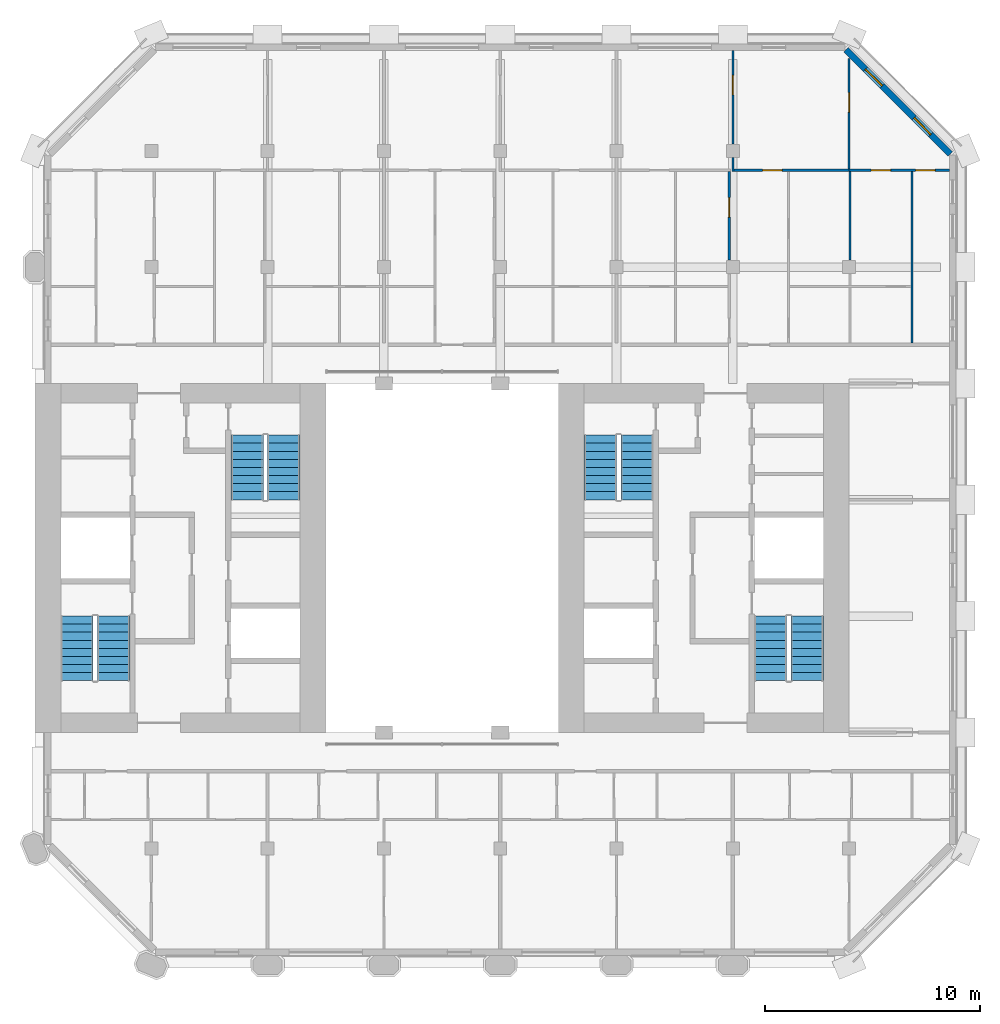
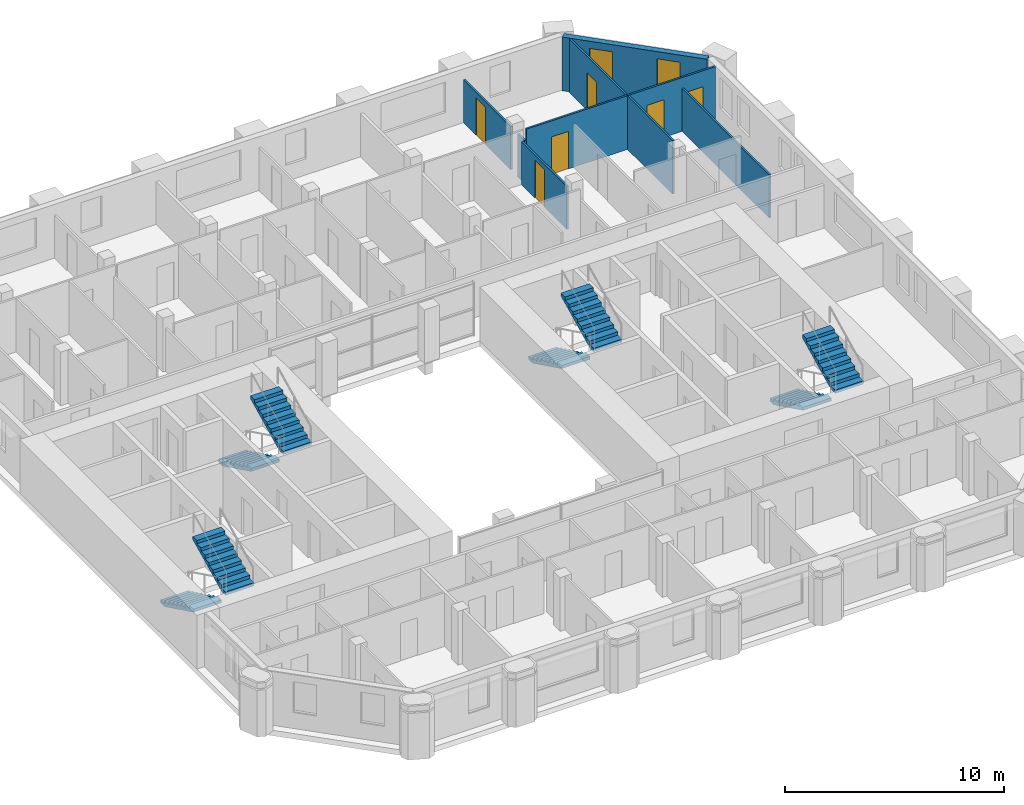
# One storey, part 10 of 13: 9 walls, 8 stair flights, 6 doors, 2 windows, 8 openings, 4 elements without a shape of their own.
"""IFC4 building model written with IfcOpenShell, lengths in metres."""

from ifc_helpers import new_model, si_unit, direction, frame, frame_2d, origin, place, context, subcontext, project, spatial, polyline, rectangle, outline, extrude, material, layer, layer_set, type_object, element, fill, aggregate, save


model = new_model("IFC4")

# Units and contexts
model_context = context("Model", 3, precision=1e-05, world=origin(), true_north=direction((0.0, 1.0)))
body_context = subcontext(model_context, "Body", "Model", "MODEL_VIEW")
ifc_project = project(units=[si_unit("LENGTHUNIT", "METRE"), si_unit("AREAUNIT", "SQUARE_METRE"), si_unit("VOLUMEUNIT", "CUBIC_METRE"), si_unit("PLANEANGLEUNIT", "RADIAN"), si_unit("MASSUNIT", "GRAM", prefix="KILO")], contexts=[model_context])

# Site, building, storey
site_placement = place(None, origin())
site = spatial("IfcSite", under=ifc_project, at=site_placement, CompositionType="ELEMENT")
building_placement = place(site_placement, origin())
building = spatial("IfcBuilding", under=site, at=building_placement, Name="Tabaq Tower and Sports Hall", CompositionType="ELEMENT")
storey_placement = place(building_placement, frame((0.0, 0.0, 298.300048828125)))
storey = spatial("IfcBuildingStorey", under=building, at=storey_placement, Name="L74", CompositionType="ELEMENT", Elevation=298.300048828125)

# Wall
ifc_material_1 = material(Name="Gypsum board on steel studs", Category="steel")
ifc_layer_1 = layer(ifc_material_1, 0.10009765625)
ifc_layer_set_1 = layer_set([ifc_layer_1], Name="Partition 100 Gypsum board")
wall_type_1 = type_object("IfcWallType", Name="Partition 100 Gypsum board", PredefinedType="PARTITIONING", material=ifc_layer_set_1)
wall_1_placement = place(storey_placement, frame((37.800048828125, 42.25, 0.0), z_axis=(0.0, 0.0, 1.0), x_axis=(0.0, 1.0, 0.0)))
element("IfcWall", 1, at=wall_1_placement, inside=storey, type_object=wall_type_1, Name="Partition wall L74", PredefinedType="PARTITIONING", context=body_context, shape_type="SweptSolid", body=[
    extrude(rectangle(XDim=0.6298828125, YDim=0.10009765625, at=frame_2d((0.31494140625, 0.0))), origin(), (0.0, 0.0, 1.0), 2.39990234375),
])

# Wall, opening, door
wall_2_placement = place(storey_placement, frame((37.800048828125, 43.52001953125, 0.0), z_axis=(0.0, 0.0, 1.0), x_axis=(0.0, 1.0, 0.0)))
wall_2 = element("IfcWall", 2, at=wall_2_placement, inside=storey, type_object=wall_type_1, Name="Partition wall L74", PredefinedType="PARTITIONING", context=body_context, shape_type="SweptSolid", body=[
    extrude(rectangle(XDim=4.3291015625, YDim=0.10009765625, at=frame_2d((2.16455078125, 0.0))), origin(), (0.0, 0.0, 1.0), 2.39990234375),
])
opening_1_placement = place(wall_2_placement, frame((2.280029296875, 0.0, 0.0)))
opening_1 = element("IfcOpeningElement", 3, at=opening_1_placement, cuts=wall_2, Name="Opening L74-036", PredefinedType="OPENING", context=body_context, shape_type="SweptSolid", body=[
    extrude(rectangle(XDim=0.89990234375, YDim=2.10009765625, at=frame_2d((0.449951171875, 1.050048828125))), frame((0.0, 0.050048828125, 0.0), z_axis=(0.0, -1.0, 0.0), x_axis=(1.0, 0.0, 0.0)), (0.0, 0.0, 1.0), 0.10009765625),
])
ifc_material_2 = material(Name="Timber leaf in steel frame", Category="steel")
door_type_1 = type_object("IfcDoorType", Name="Internal door 900 left hand", OperationType="SINGLE_SWING_LEFT", PredefinedType="DOOR", material=ifc_material_2)
door_1_placement = place(opening_1_placement, origin())
door_1 = element("IfcDoor", 4, at=door_1_placement, inside=storey, type_object=door_type_1, Name="Internal door L74-036", OperationType="SINGLE_SWING_LEFT", OverallHeight=2.10009765625, OverallWidth=0.89990234375, PredefinedType="DOOR", context=body_context, shape_type="SweptSolid", body=[
    extrude(rectangle(XDim=0.89990234375, YDim=2.10009765625, at=frame_2d((0.449951171875, 1.050048828125))), frame((0.0, 0.02490234375, 0.0), z_axis=(0.0, -1.0, 0.0), x_axis=(1.0, 0.0, 0.0)), (0.0, 0.0, 1.0), 0.050048828125),
])
fill(opening_1, door_1)

wall_3_placement = place(storey_placement, frame((37.85009765625, 42.300048828125, 0.0), z_axis=(0.0, 0.0, 1.0), x_axis=(1.0, 0.0, 0.0)))
wall_3 = element("IfcWall", 5, at=wall_3_placement, inside=storey, type_object=wall_type_1, Name="Partition wall L74", PredefinedType="PARTITIONING", context=body_context, shape_type="SweptSolid", body=[
    extrude(rectangle(XDim=5.39990234375, YDim=0.10009765625, at=frame_2d((2.699951171875, 0.0))), origin(), (0.0, 0.0, 1.0), 3.0),
])
opening_2_placement = place(wall_3_placement, frame((1.3349609375, 0.0, 0.0)))
opening_2 = element("IfcOpeningElement", 6, at=opening_2_placement, cuts=wall_3, Name="Opening L74-054", PredefinedType="OPENING", context=body_context, shape_type="SweptSolid", body=[
    extrude(rectangle(XDim=0.89990234375, YDim=2.10009765625, at=frame_2d((0.449951171875, 1.050048828125))), frame((0.0, 0.050048828125, 0.0), z_axis=(0.0, -1.0, 0.0), x_axis=(1.0, 0.0, 0.0)), (0.0, 0.0, 1.0), 0.10009765625),
])
ifc_material_3 = material(Name="Timber leaf in steel frame", Category="steel")
door_type_2 = type_object("IfcDoorType", Name="Internal door 900 right hand", OperationType="SINGLE_SWING_RIGHT", PredefinedType="DOOR", material=ifc_material_3)
door_2_placement = place(opening_2_placement, origin())
door_2 = element("IfcDoor", 7, at=door_2_placement, inside=storey, type_object=door_type_2, Name="Internal door L74-054", OperationType="SINGLE_SWING_RIGHT", OverallHeight=2.10009765625, OverallWidth=0.89990234375, PredefinedType="DOOR", context=body_context, shape_type="SweptSolid", body=[
    extrude(rectangle(XDim=0.89990234375, YDim=2.10009765625, at=frame_2d((0.449951171875, 1.050048828125))), frame((0.0, 0.02490234375, 0.0), z_axis=(0.0, -1.0, 0.0), x_axis=(1.0, 0.0, 0.0)), (0.0, 0.0, 1.0), 0.050048828125),
])
fill(opening_2, door_2)

wall_4_placement = place(storey_placement, frame((43.199951171875, 42.35009765625, 0.0), z_axis=(0.0, 0.0, 1.0), x_axis=(0.0, 1.0, 0.0)))
wall_4 = element("IfcWall", 8, at=wall_4_placement, inside=storey, type_object=wall_type_1, Name="Partition wall L74", PredefinedType="PARTITIONING", context=body_context, shape_type="SweptSolid", body=[
    extrude(rectangle(XDim=5.1376953125, YDim=0.10009765625, at=frame_2d((2.56884765625, 0.0))), origin(), (0.0, 0.0, 1.0), 3.0),
])
opening_3_placement = place(wall_4_placement, frame((2.64990234375, 0.0, 0.0)))
opening_3 = element("IfcOpeningElement", 9, at=opening_3_placement, cuts=wall_4, Name="Opening L74-053", PredefinedType="OPENING", context=body_context, shape_type="SweptSolid", body=[
    extrude(rectangle(XDim=0.89990234375, YDim=2.10009765625, at=frame_2d((0.449951171875, 1.050048828125))), frame((0.0, 0.050048828125, 0.0), z_axis=(0.0, -1.0, 0.0), x_axis=(1.0, 0.0, 0.0)), (0.0, 0.0, 1.0), 0.10009765625),
])
door_3_placement = place(opening_3_placement, origin())
door_3 = element("IfcDoor", 10, at=door_3_placement, inside=storey, type_object=door_type_2, Name="Internal door L74-053", OperationType="SINGLE_SWING_RIGHT", OverallHeight=2.10009765625, OverallWidth=0.89990234375, PredefinedType="DOOR", context=body_context, shape_type="SweptSolid", body=[
    extrude(rectangle(XDim=0.89990234375, YDim=2.10009765625, at=frame_2d((0.449951171875, 1.050048828125))), frame((0.0, 0.02490234375, 0.0), z_axis=(0.0, -1.0, 0.0), x_axis=(1.0, 0.0, 0.0)), (0.0, 0.0, 1.0), 0.050048828125),
])
fill(opening_3, door_3)

# Wall, openings, doors
wall_5_placement = place(storey_placement, frame((43.18505859375, 42.300048828125, 0.0), z_axis=(0.0, 0.0, 1.0), x_axis=(1.0, 0.0, 0.0)))
wall_5 = element("IfcWall", 11, at=wall_5_placement, inside=storey, type_object=wall_type_1, Name="Partition wall L74", PredefinedType="PARTITIONING", context=body_context, shape_type="SweptSolid", body=[
    extrude(rectangle(XDim=4.6640625, YDim=0.10009765625, at=frame_2d((2.33203125, 0.0))), origin(), (0.0, 0.0, 1.0), 3.0),
])
opening_4_placement = place(wall_5_placement, frame((3.10009765625, 0.0, 0.0)))
opening_4 = element("IfcOpeningElement", 12, at=opening_4_placement, cuts=wall_5, Name="Opening L74-011", PredefinedType="OPENING", context=body_context, shape_type="SweptSolid", body=[
    extrude(rectangle(XDim=0.89990234375, YDim=2.10009765625, at=frame_2d((0.449951171875, 1.050048828125))), frame((0.0, 0.050048828125, 0.0), z_axis=(0.0, -1.0, 0.0), x_axis=(1.0, 0.0, 0.0)), (0.0, 0.0, 1.0), 0.10009765625),
])
opening_5_placement = place(wall_5_placement, frame((1.0400390625, 0.0, 0.0)))
opening_5 = element("IfcOpeningElement", 13, at=opening_5_placement, cuts=wall_5, Name="Opening L74-038", PredefinedType="OPENING", context=body_context, shape_type="SweptSolid", body=[
    extrude(rectangle(XDim=0.89990234375, YDim=2.10009765625, at=frame_2d((0.449951171875, 1.050048828125))), frame((0.0, 0.050048828125, 0.0), z_axis=(0.0, -1.0, 0.0), x_axis=(1.0, 0.0, 0.0)), (0.0, 0.0, 1.0), 0.10009765625),
])
door_4_placement = place(opening_5_placement, origin())
door_4 = element("IfcDoor", 14, at=door_4_placement, inside=storey, type_object=door_type_1, Name="Internal door L74-038", OperationType="SINGLE_SWING_LEFT", OverallHeight=2.10009765625, OverallWidth=0.89990234375, PredefinedType="DOOR", context=body_context, shape_type="SweptSolid", body=[
    extrude(rectangle(XDim=0.89990234375, YDim=2.10009765625, at=frame_2d((0.449951171875, 1.050048828125))), frame((0.0, 0.02490234375, 0.0), z_axis=(0.0, -1.0, 0.0), x_axis=(1.0, 0.0, 0.0)), (0.0, 0.0, 1.0), 0.050048828125),
])
fill(opening_5, door_4)
door_5_placement = place(opening_4_placement, origin())
door_5 = element("IfcDoor", 15, at=door_5_placement, inside=storey, type_object=door_type_2, Name="Internal door L74-011", OperationType="SINGLE_SWING_RIGHT", OverallHeight=2.10009765625, OverallWidth=0.89990234375, PredefinedType="DOOR", context=body_context, shape_type="SweptSolid", body=[
    extrude(rectangle(XDim=0.89990234375, YDim=2.10009765625, at=frame_2d((0.449951171875, 1.050048828125))), frame((0.0, 0.02490234375, 0.0), z_axis=(0.0, -1.0, 0.0), x_axis=(1.0, 0.0, 0.0)), (0.0, 0.0, 1.0), 0.050048828125),
])
fill(opening_4, door_5)

# Wall, opening, door
wall_6_placement = place(storey_placement, frame((37.635009765625, 38.1201171875, 0.0), z_axis=(0.0, 0.0, 1.0), x_axis=(0.0, 1.0, 0.0)))
wall_6 = element("IfcWall", 16, at=wall_6_placement, inside=storey, type_object=wall_type_1, Name="Partition wall L74", PredefinedType="PARTITIONING", context=body_context, shape_type="SweptSolid", body=[
    extrude(rectangle(XDim=4.1298828125, YDim=0.10009765625, at=frame_2d((2.06494140625, 0.0))), origin(), (0.0, 0.0, 1.0), 2.39990234375),
])
opening_6_placement = place(wall_6_placement, frame((2.0048828125, 0.0, 0.0)))
opening_6 = element("IfcOpeningElement", 17, at=opening_6_placement, cuts=wall_6, Name="Opening L74-013", PredefinedType="OPENING", context=body_context, shape_type="SweptSolid", body=[
    extrude(rectangle(XDim=0.89990234375, YDim=2.10009765625, at=frame_2d((0.449951171875, 1.050048828125))), frame((0.0, 0.050048828125, 0.0), z_axis=(0.0, -1.0, 0.0), x_axis=(1.0, 0.0, 0.0)), (0.0, 0.0, 1.0), 0.10009765625),
])
door_6_placement = place(opening_6_placement, origin())
door_6 = element("IfcDoor", 18, at=door_6_placement, inside=storey, type_object=door_type_2, Name="Internal door L74-013", OperationType="SINGLE_SWING_RIGHT", OverallHeight=2.10009765625, OverallWidth=0.89990234375, PredefinedType="DOOR", context=body_context, shape_type="SweptSolid", body=[
    extrude(rectangle(XDim=0.89990234375, YDim=2.10009765625, at=frame_2d((0.449951171875, 1.050048828125))), frame((0.0, 0.02490234375, 0.0), z_axis=(0.0, -1.0, 0.0), x_axis=(1.0, 0.0, 0.0)), (0.0, 0.0, 1.0), 0.050048828125),
])
fill(opening_6, door_6)

# Walls
wall_7_placement = place(storey_placement, frame((43.235107421875, 38.1201171875, 0.0), z_axis=(0.0, 0.0, 1.0), x_axis=(0.0, 1.0, 0.0)))
element("IfcWall", 19, at=wall_7_placement, inside=storey, type_object=wall_type_1, Name="Partition wall L74", PredefinedType="PARTITIONING", context=body_context, shape_type="SweptSolid", body=[
    extrude(rectangle(XDim=4.1298828125, YDim=0.10009765625, at=frame_2d((2.06494140625, 0.0))), origin(), (0.0, 0.0, 1.0), 3.0),
])
wall_8_placement = place(storey_placement, frame((46.114990234375, 34.27490234375, 0.0), z_axis=(0.0, 0.0, 1.0), x_axis=(0.0, 1.0, 0.0)))
element("IfcWall", 20, at=wall_8_placement, inside=storey, type_object=wall_type_1, Name="Partition wall L74", PredefinedType="PARTITIONING", context=body_context, shape_type="SweptSolid", body=[
    extrude(rectangle(XDim=7.97509765625, YDim=0.10009765625, at=frame_2d((3.987548828125, 0.0))), origin(), (0.0, 0.0, 1.0), 2.39990234375),
])

# Wall, openings, windows
ifc_material_4 = material(Name="White precast concrete C60/75", Category="concrete")
ifc_layer_2 = layer(ifc_material_4, 0.300048828125)
ifc_layer_set_2 = layer_set([ifc_layer_2], Name="White precast concrete C60/75 external wall 300")
wall_type_2 = type_object("IfcWallType", Name="White precast concrete C60/75 external wall 300", PredefinedType="SOLIDWALL", material=ifc_layer_set_2)
wall_9_placement = place(storey_placement, frame((47.901123046875, 43.050537109375, 0.0), z_axis=(0.0, 0.0, 1.0), x_axis=(-0.707106781187, 0.707106781187, 0.0)))
wall_9 = element("IfcWall", 21, at=wall_9_placement, inside=storey, type_object=wall_type_2, Name="External Wall L74 NE", PredefinedType="SOLIDWALL", context=body_context, shape_type="SweptSolid", body=[
    extrude(rectangle(XDim=6.85986328125, YDim=0.300048828125, at=frame_2d((3.429931640625, 0.0))), origin(), (0.0, 0.0, 1.0), 3.0),
])
opening_7_placement = place(wall_9_placement, frame((1.27978515625, 0.0, 0.89990234375)))
opening_7 = element("IfcOpeningElement", 22, at=opening_7_placement, cuts=wall_9, Name="Opening W1B", PredefinedType="OPENING", context=body_context, shape_type="SweptSolid", body=[
    extrude(rectangle(XDim=1.10009765625, YDim=1.699951171875, at=frame_2d((0.550048828125, 0.85009765625))), frame((0.0, 0.16015625, 0.0), z_axis=(0.0, -1.0, 0.0), x_axis=(1.0, 0.0, 0.0)), (0.0, 0.0, 1.0), 0.320068359375),
])
opening_8_placement = place(wall_9_placement, frame((4.479736328125, 0.0, 0.89990234375)))
opening_8 = element("IfcOpeningElement", 23, at=opening_8_placement, cuts=wall_9, Name="Opening W1B", PredefinedType="OPENING", context=body_context, shape_type="SweptSolid", body=[
    extrude(rectangle(XDim=1.10009765625, YDim=1.699951171875, at=frame_2d((0.550048828125, 0.85009765625))), frame((0.0, 0.16015625, 0.0), z_axis=(0.0, -1.0, 0.0), x_axis=(1.0, 0.0, 0.0)), (0.0, 0.0, 1.0), 0.320068359375),
])
ifc_material_5 = material(Name="Aluminium framed clear glazing", Category="aluminium")
window_type = type_object("IfcWindowType", Name="Window W1B", PartitioningType="SINGLE_PANEL", PredefinedType="WINDOW", material=ifc_material_5)
window_1_placement = place(opening_7_placement, origin())
window_1 = element("IfcWindow", 24, at=window_1_placement, inside=storey, type_object=window_type, Name="Window W1B L74", OverallHeight=1.699951171875, OverallWidth=1.10009765625, PartitioningType="SINGLE_PANEL", PredefinedType="WINDOW", context=body_context, shape_type="SweptSolid", body=[
    extrude(rectangle(XDim=1.10009765625, YDim=1.699951171875, at=frame_2d((0.550048828125, 0.85009765625))), frame((0.0, 0.030029296875, 0.0), z_axis=(0.0, -1.0, 0.0), x_axis=(1.0, 0.0, 0.0)), (0.0, 0.0, 1.0), 0.06005859375),
])
fill(opening_7, window_1)
window_2_placement = place(opening_8_placement, origin())
window_2 = element("IfcWindow", 25, at=window_2_placement, inside=storey, type_object=window_type, Name="Window W1B L74", OverallHeight=1.699951171875, OverallWidth=1.10009765625, PartitioningType="SINGLE_PANEL", PredefinedType="WINDOW", context=body_context, shape_type="SweptSolid", body=[
    extrude(rectangle(XDim=1.10009765625, YDim=1.699951171875, at=frame_2d((0.550048828125, 0.85009765625))), frame((0.0, 0.030029296875, 0.0), z_axis=(0.0, -1.0, 0.0), x_axis=(1.0, 0.0, 0.0)), (0.0, 0.0, 1.0), 0.06005859375),
])
fill(opening_8, window_2)

# Stair, stair flights
ifc_material_6 = material(Name="Concrete C40/50", Category="concrete")
stair_type = type_object("IfcStairType", Name="Exit stair", PredefinedType="HALF_TURN_STAIR", material=ifc_material_6)
stair_1_placement = place(storey_placement, origin())
stair_1 = element("IfcStair", 26, at=stair_1_placement, inside=storey, type_object=stair_type, Name="L74 Exit stair ST1", PredefinedType="HALF_TURN_STAIR")
ifc_material_7 = material(Name="Concrete C40/50", Category="concrete")
stair_flight_type = type_object("IfcStairFlightType", Name="Exit stair flight", PredefinedType="STRAIGHT", material=ifc_material_7)
stair_flight_1_placement = place(storey_placement, frame((7.35009765625, 21.60009765625, 0.0), z_axis=(0.0, 0.0, 1.0), x_axis=(0.0, -1.0, 0.0)))
stair_flight_1 = element("IfcStairFlight", 27, at=stair_flight_1_placement, type_object=stair_flight_type, Name="ST1 flight 1", NumberOfRisers=9, NumberOfTreads=8, PredefinedType="STRAIGHT", RiserHeight=0.183333333, TreadLength=0.375, context=body_context, shape_type="SweptSolid", body=[
    extrude(outline(polyline([(0.0, 0.0), (0.0, 0.183349609375), (0.375, 0.183349609375), (0.375, 0.36669921875), (0.75, 0.36669921875), (0.75, 0.550048828125), (1.125, 0.550048828125), (1.125, 0.7333984375), (1.5, 0.7333984375), (1.5, 0.916748046875), (1.875, 0.916748046875), (1.875, 1.10009765625), (2.25, 1.10009765625), (2.25, 1.283447265625), (2.625, 1.283447265625), (2.625, 1.466552734375), (3.0, 1.466552734375), (3.0, 1.64990234375), (3.0, 1.2998046875), (0.34130859375, 0.0), (0.0, 0.0)])), frame((0.0, 0.75, 0.0), z_axis=(0.0, -1.0, 0.0), x_axis=(1.0, 0.0, 0.0)), (0.0, 0.0, 1.0), 1.5),
])
stair_flight_2_placement = place(storey_placement, frame((9.050048828125, 18.60009765625, 1.64990234375), z_axis=(0.0, 0.0, 1.0), x_axis=(0.0, 1.0, 0.0)))
stair_flight_2 = element("IfcStairFlight", 28, at=stair_flight_2_placement, type_object=stair_flight_type, Name="ST1 flight 2", NumberOfRisers=9, NumberOfTreads=8, PredefinedType="STRAIGHT", RiserHeight=0.183333333, TreadLength=0.375, context=body_context, shape_type="SweptSolid", body=[
    extrude(outline(polyline([(0.0, 0.0), (0.0, 0.183349609375), (0.375, 0.183349609375), (0.375, 0.36669921875), (0.75, 0.36669921875), (0.75, 0.550048828125), (1.125, 0.550048828125), (1.125, 0.7333984375), (1.5, 0.7333984375), (1.5, 0.916748046875), (1.875, 0.916748046875), (1.875, 1.10009765625), (2.25, 1.10009765625), (2.25, 1.283447265625), (2.625, 1.283447265625), (2.625, 1.466552734375), (3.0, 1.466552734375), (3.0, 1.64990234375), (3.0, 1.2998046875), (0.34130859375, 0.0), (0.0, 0.0)])), frame((0.0, 0.75, 0.0), z_axis=(0.0, -1.0, 0.0), x_axis=(1.0, 0.0, 0.0)), (0.0, 0.0, 1.0), 1.5),
])
aggregate(stair_1, [stair_flight_1, stair_flight_2])

stair_2_placement = place(storey_placement, origin())
stair_2 = element("IfcStair", 29, at=stair_2_placement, inside=storey, type_object=stair_type, Name="L74 Exit stair ST2", PredefinedType="HALF_TURN_STAIR")
stair_flight_3_placement = place(storey_placement, frame((15.25, 30.0, 0.0), z_axis=(0.0, 0.0, 1.0), x_axis=(0.0, -1.0, 0.0)))
stair_flight_3 = element("IfcStairFlight", 30, at=stair_flight_3_placement, type_object=stair_flight_type, Name="ST2 flight 1", NumberOfRisers=9, NumberOfTreads=8, PredefinedType="STRAIGHT", RiserHeight=0.183333333, TreadLength=0.375, context=body_context, shape_type="SweptSolid", body=[
    extrude(outline(polyline([(0.0, 0.0), (0.0, 0.183349609375), (0.375, 0.183349609375), (0.375, 0.36669921875), (0.75, 0.36669921875), (0.75, 0.550048828125), (1.125, 0.550048828125), (1.125, 0.7333984375), (1.5, 0.7333984375), (1.5, 0.916748046875), (1.875, 0.916748046875), (1.875, 1.10009765625), (2.25, 1.10009765625), (2.25, 1.283447265625), (2.625, 1.283447265625), (2.625, 1.466552734375), (3.0, 1.466552734375), (3.0, 1.64990234375), (3.0, 1.2998046875), (0.34130859375, 0.0), (0.0, 0.0)])), frame((0.0, 0.75, 0.0), z_axis=(0.0, -1.0, 0.0), x_axis=(1.0, 0.0, 0.0)), (0.0, 0.0, 1.0), 1.5),
])
stair_flight_4_placement = place(storey_placement, frame((16.949951171875, 27.0, 1.64990234375), z_axis=(0.0, 0.0, 1.0), x_axis=(0.0, 1.0, 0.0)))
stair_flight_4 = element("IfcStairFlight", 31, at=stair_flight_4_placement, type_object=stair_flight_type, Name="ST2 flight 2", NumberOfRisers=9, NumberOfTreads=8, PredefinedType="STRAIGHT", RiserHeight=0.183333333, TreadLength=0.375, context=body_context, shape_type="SweptSolid", body=[
    extrude(outline(polyline([(0.0, 0.0), (0.0, 0.183349609375), (0.375, 0.183349609375), (0.375, 0.36669921875), (0.75, 0.36669921875), (0.75, 0.550048828125), (1.125, 0.550048828125), (1.125, 0.7333984375), (1.5, 0.7333984375), (1.5, 0.916748046875), (1.875, 0.916748046875), (1.875, 1.10009765625), (2.25, 1.10009765625), (2.25, 1.283447265625), (2.625, 1.283447265625), (2.625, 1.466552734375), (3.0, 1.466552734375), (3.0, 1.64990234375), (3.0, 1.2998046875), (0.34130859375, 0.0), (0.0, 0.0)])), frame((0.0, 0.75, 0.0), z_axis=(0.0, -1.0, 0.0), x_axis=(1.0, 0.0, 0.0)), (0.0, 0.0, 1.0), 1.5),
])
aggregate(stair_2, [stair_flight_3, stair_flight_4])

stair_3_placement = place(storey_placement, origin())
stair_3 = element("IfcStair", 32, at=stair_3_placement, inside=storey, type_object=stair_type, Name="L74 Exit stair ST3", PredefinedType="HALF_TURN_STAIR")
stair_flight_5_placement = place(storey_placement, frame((39.550048828125, 21.60009765625, 0.0), z_axis=(0.0, 0.0, 1.0), x_axis=(0.0, -1.0, 0.0)))
stair_flight_5 = element("IfcStairFlight", 33, at=stair_flight_5_placement, type_object=stair_flight_type, Name="ST3 flight 1", NumberOfRisers=9, NumberOfTreads=8, PredefinedType="STRAIGHT", RiserHeight=0.183333333, TreadLength=0.375, context=body_context, shape_type="SweptSolid", body=[
    extrude(outline(polyline([(0.0, 0.0), (0.0, 0.183349609375), (0.375, 0.183349609375), (0.375, 0.36669921875), (0.75, 0.36669921875), (0.75, 0.550048828125), (1.125, 0.550048828125), (1.125, 0.7333984375), (1.5, 0.7333984375), (1.5, 0.916748046875), (1.875, 0.916748046875), (1.875, 1.10009765625), (2.25, 1.10009765625), (2.25, 1.283447265625), (2.625, 1.283447265625), (2.625, 1.466552734375), (3.0, 1.466552734375), (3.0, 1.64990234375), (3.0, 1.2998046875), (0.34130859375, 0.0), (0.0, 0.0)])), frame((0.0, 0.75, 0.0), z_axis=(0.0, -1.0, 0.0), x_axis=(1.0, 0.0, 0.0)), (0.0, 0.0, 1.0), 1.5),
])
stair_flight_6_placement = place(storey_placement, frame((41.25, 18.60009765625, 1.64990234375), z_axis=(0.0, 0.0, 1.0), x_axis=(0.0, 1.0, 0.0)))
stair_flight_6 = element("IfcStairFlight", 34, at=stair_flight_6_placement, type_object=stair_flight_type, Name="ST3 flight 2", NumberOfRisers=9, NumberOfTreads=8, PredefinedType="STRAIGHT", RiserHeight=0.183333333, TreadLength=0.375, context=body_context, shape_type="SweptSolid", body=[
    extrude(outline(polyline([(0.0, 0.0), (0.0, 0.183349609375), (0.375, 0.183349609375), (0.375, 0.36669921875), (0.75, 0.36669921875), (0.75, 0.550048828125), (1.125, 0.550048828125), (1.125, 0.7333984375), (1.5, 0.7333984375), (1.5, 0.916748046875), (1.875, 0.916748046875), (1.875, 1.10009765625), (2.25, 1.10009765625), (2.25, 1.283447265625), (2.625, 1.283447265625), (2.625, 1.466552734375), (3.0, 1.466552734375), (3.0, 1.64990234375), (3.0, 1.2998046875), (0.34130859375, 0.0), (0.0, 0.0)])), frame((0.0, 0.75, 0.0), z_axis=(0.0, -1.0, 0.0), x_axis=(1.0, 0.0, 0.0)), (0.0, 0.0, 1.0), 1.5),
])
aggregate(stair_3, [stair_flight_5, stair_flight_6])

stair_4_placement = place(storey_placement, origin())
stair_4 = element("IfcStair", 35, at=stair_4_placement, inside=storey, type_object=stair_type, Name="L74 Exit stair ST4", PredefinedType="HALF_TURN_STAIR")
stair_flight_7_placement = place(storey_placement, frame((31.64990234375, 30.0, 0.0), z_axis=(0.0, 0.0, 1.0), x_axis=(0.0, -1.0, 0.0)))
stair_flight_7 = element("IfcStairFlight", 36, at=stair_flight_7_placement, type_object=stair_flight_type, Name="ST4 flight 1", NumberOfRisers=9, NumberOfTreads=8, PredefinedType="STRAIGHT", RiserHeight=0.183333333, TreadLength=0.375, context=body_context, shape_type="SweptSolid", body=[
    extrude(outline(polyline([(0.0, 0.0), (0.0, 0.183349609375), (0.375, 0.183349609375), (0.375, 0.36669921875), (0.75, 0.36669921875), (0.75, 0.550048828125), (1.125, 0.550048828125), (1.125, 0.7333984375), (1.5, 0.7333984375), (1.5, 0.916748046875), (1.875, 0.916748046875), (1.875, 1.10009765625), (2.25, 1.10009765625), (2.25, 1.283447265625), (2.625, 1.283447265625), (2.625, 1.466552734375), (3.0, 1.466552734375), (3.0, 1.64990234375), (3.0, 1.2998046875), (0.34130859375, 0.0), (0.0, 0.0)])), frame((0.0, 0.75, 0.0), z_axis=(0.0, -1.0, 0.0), x_axis=(1.0, 0.0, 0.0)), (0.0, 0.0, 1.0), 1.5),
])
stair_flight_8_placement = place(storey_placement, frame((33.35009765625, 27.0, 1.64990234375), z_axis=(0.0, 0.0, 1.0), x_axis=(0.0, 1.0, 0.0)))
stair_flight_8 = element("IfcStairFlight", 37, at=stair_flight_8_placement, type_object=stair_flight_type, Name="ST4 flight 2", NumberOfRisers=9, NumberOfTreads=8, PredefinedType="STRAIGHT", RiserHeight=0.183333333, TreadLength=0.375, context=body_context, shape_type="SweptSolid", body=[
    extrude(outline(polyline([(0.0, 0.0), (0.0, 0.183349609375), (0.375, 0.183349609375), (0.375, 0.36669921875), (0.75, 0.36669921875), (0.75, 0.550048828125), (1.125, 0.550048828125), (1.125, 0.7333984375), (1.5, 0.7333984375), (1.5, 0.916748046875), (1.875, 0.916748046875), (1.875, 1.10009765625), (2.25, 1.10009765625), (2.25, 1.283447265625), (2.625, 1.283447265625), (2.625, 1.466552734375), (3.0, 1.466552734375), (3.0, 1.64990234375), (3.0, 1.2998046875), (0.34130859375, 0.0), (0.0, 0.0)])), frame((0.0, 0.75, 0.0), z_axis=(0.0, -1.0, 0.0), x_axis=(1.0, 0.0, 0.0)), (0.0, 0.0, 1.0), 1.5),
])
aggregate(stair_4, [stair_flight_7, stair_flight_8])

save(model, "model.ifc")
